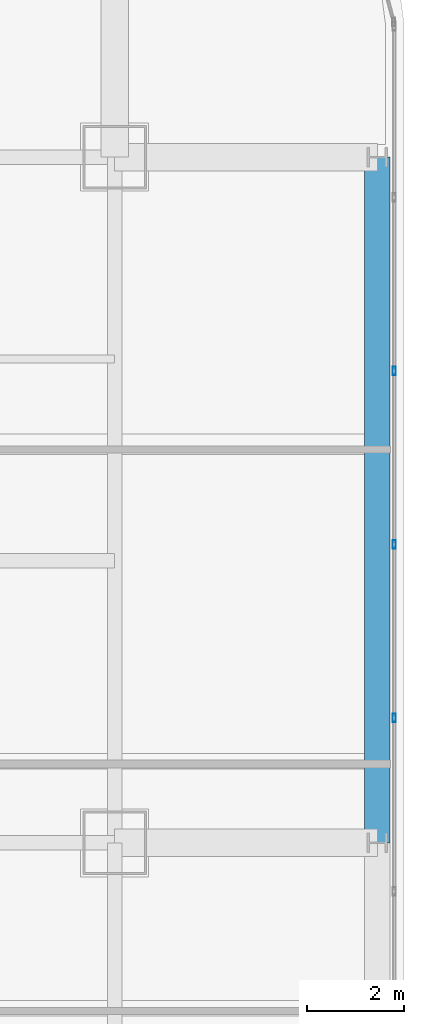
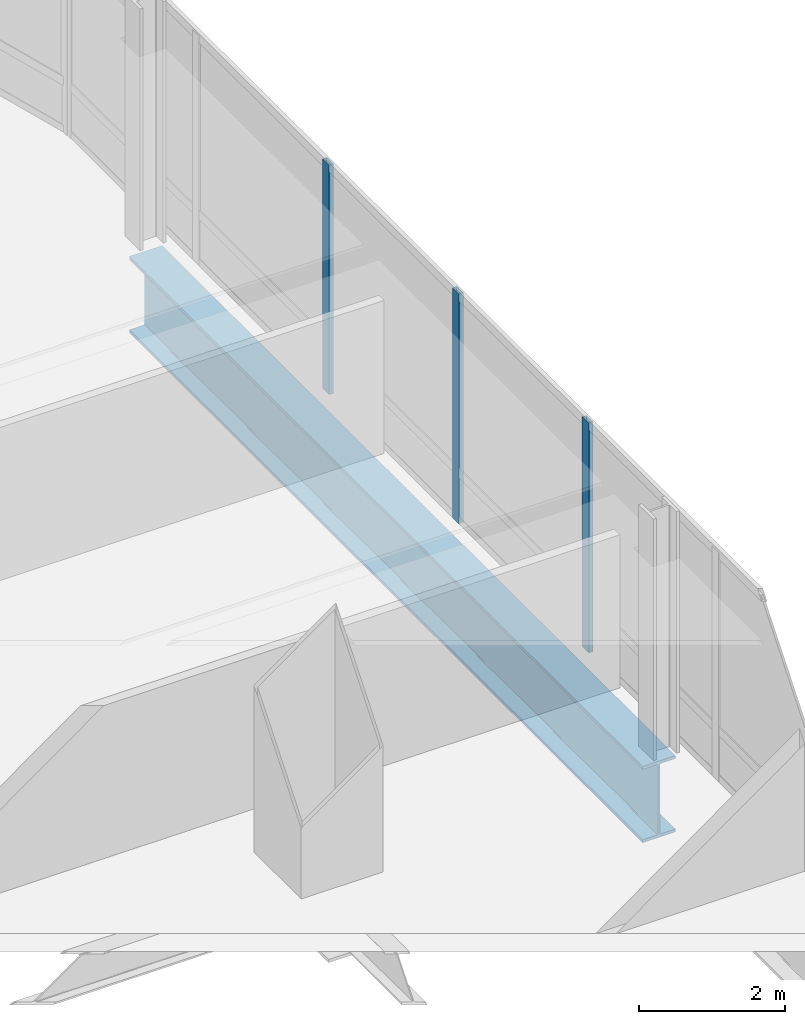
# One storey, part 21 of 39: 3 members, 1 beam, 1 element without a shape of its own.
"""IFC4 building model written with IfcOpenShell, lengths in metres."""

from ifc_helpers import new_model, si_unit, direction, frame, origin, origin_2d, place, context, subcontext, project, spatial, hollow_rectangle, i_section, extrude, material, material_profile, profile_set, type_object, element, aggregate, save


model = new_model("IFC4")

# Units and contexts
model_context = context("Model", 3, precision=1e-05, world=origin(), true_north=direction((0.0, 1.0)))
body_context = subcontext(model_context, "Body", "Model", "MODEL_VIEW")
ifc_project = project(units=[si_unit("LENGTHUNIT", "METRE"), si_unit("AREAUNIT", "SQUARE_METRE"), si_unit("VOLUMEUNIT", "CUBIC_METRE"), si_unit("PLANEANGLEUNIT", "RADIAN"), si_unit("MASSUNIT", "GRAM", prefix="KILO")], contexts=[model_context])

# Site, building, storey
site_placement = place(None, origin())
site = spatial("IfcSite", under=ifc_project, at=site_placement, CompositionType="ELEMENT")
building_placement = place(site_placement, origin())
building = spatial("IfcBuilding", under=site, at=building_placement, Name="Punatoya Terracotta Tower", CompositionType="ELEMENT")
storey_placement = place(building_placement, frame((0.0, 0.0, 275.699951171875)))
storey = spatial("IfcBuildingStorey", under=building, at=storey_placement, Name="L65", CompositionType="ELEMENT", Elevation=275.699951171875)

# Beam
ifc_material_1 = material(Name="Steel S460", Category="steel")
ifc_material_profile_1 = material_profile(ifc_material_1, i_section(OverallWidth=0.52001953125, OverallDepth=1.280029296875, WebThickness=0.031982421875, FlangeThickness=0.050048828125, FilletRadius=0.01806640625, at=origin_2d()))
ifc_profile_set_1 = profile_set([ifc_material_profile_1], Name="Steel S460")
beam_type = type_object("IfcBeamType", Name="BM-TG-NCK", PredefinedType="BEAM", material=ifc_profile_set_1)
beam_placement = place(storey_placement, frame((24.5, 3.39990234375, -0.83984375), z_axis=(0.0, 1.0, 0.0), x_axis=(-1.0, 0.0, 0.0)))
element("IfcBeam", 1, at=beam_placement, inside=storey, type_object=beam_type, Name="BM-L65-PER-E3", PredefinedType="BEAM", context=body_context, shape_type="SweptSolid", body=[
    extrude(i_section(OverallWidth=0.52001953125, OverallDepth=1.280029296875, WebThickness=0.031982421875, FlangeThickness=0.050048828125, FilletRadius=0.01806640625, at=origin_2d()), origin(), (0.0, 0.0, 1.0), 14.10009765625),
])

# Curtain wall, members
ifc_material_2 = material(Name="Aluminium 6063-T6 + Double Low-E Glass", Category="aluminium")
curtain_wall_type = type_object("IfcCurtainWallType", Name="CW-M3", PredefinedType="NOTDEFINED", material=ifc_material_2)
curtain_wall_placement = place(storey_placement, origin())
curtain_wall = element("IfcCurtainWall", 2, at=curtain_wall_placement, inside=storey, type_object=curtain_wall_type, Name="L65 Curtain Wall CW-L65-E05-1", PredefinedType="NOTDEFINED")
ifc_material_3 = material(Name="Aluminium 6063-T6", Category="aluminium")
ifc_material_profile_2 = material_profile(ifc_material_3, hollow_rectangle(XDim=0.070068359375, YDim=0.179931640625, WallThickness=0.00390625, at=origin_2d()))
ifc_profile_set_2 = profile_set([ifc_material_profile_2], Name="Aluminium 6063-T6")
member_type = type_object("IfcMemberType", Name="CW-MUL-M3", PredefinedType="MULLION", material=ifc_profile_set_2)
member_1_placement = place(storey_placement, frame((24.85009765625, 5.96728515625, 0.0), z_axis=(0.0, 0.0, 1.0), x_axis=(1.0, 0.0, 0.0)))
member_1 = element("IfcMember", 3, at=member_1_placement, type_object=member_type, Name="CW-L65-E05-1 Mullion 06", PredefinedType="MULLION", context=body_context, shape_type="SweptSolid", body=[
    extrude(hollow_rectangle(XDim=0.070068359375, YDim=0.179931640625, WallThickness=0.00390625, at=origin_2d()), origin(), (0.0, 0.0, 1.0), 3.85009765625),
])
member_2_placement = place(storey_placement, frame((24.85009765625, 9.534912109375, 0.0), z_axis=(0.0, 0.0, 1.0), x_axis=(1.0, 0.0, 0.0)))
member_2 = element("IfcMember", 4, at=member_2_placement, type_object=member_type, Name="CW-L65-E05-1 Mullion 07", PredefinedType="MULLION", context=body_context, shape_type="SweptSolid", body=[
    extrude(hollow_rectangle(XDim=0.070068359375, YDim=0.179931640625, WallThickness=0.00390625, at=origin_2d()), origin(), (0.0, 0.0, 1.0), 3.85009765625),
])
member_3_placement = place(storey_placement, frame((24.85009765625, 13.10205078125, 0.0), z_axis=(0.0, 0.0, 1.0), x_axis=(1.0, 0.0, 0.0)))
member_3 = element("IfcMember", 5, at=member_3_placement, type_object=member_type, Name="CW-L65-E05-1 Mullion 08", PredefinedType="MULLION", context=body_context, shape_type="SweptSolid", body=[
    extrude(hollow_rectangle(XDim=0.070068359375, YDim=0.179931640625, WallThickness=0.00390625, at=origin_2d()), origin(), (0.0, 0.0, 1.0), 3.85009765625),
])
aggregate(curtain_wall, [member_1, member_2, member_3])

save(model, "model.ifc")
